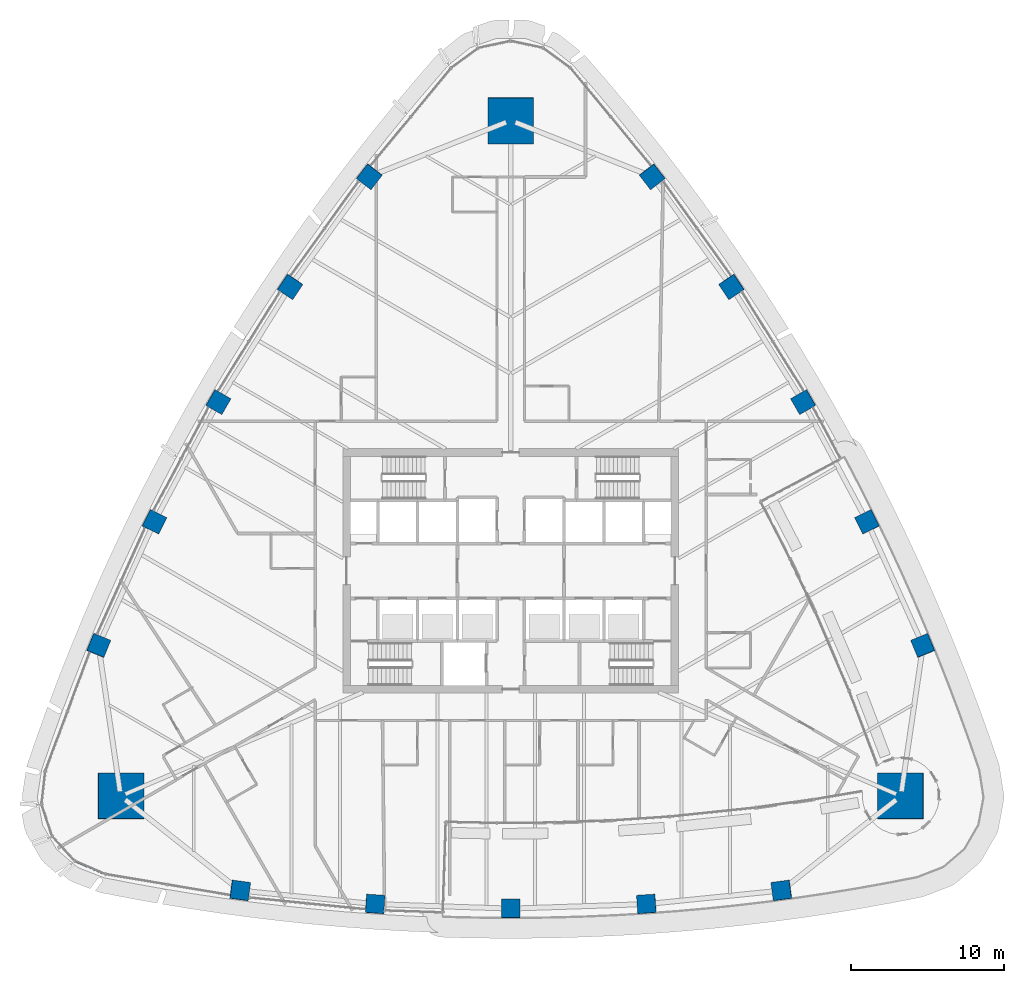
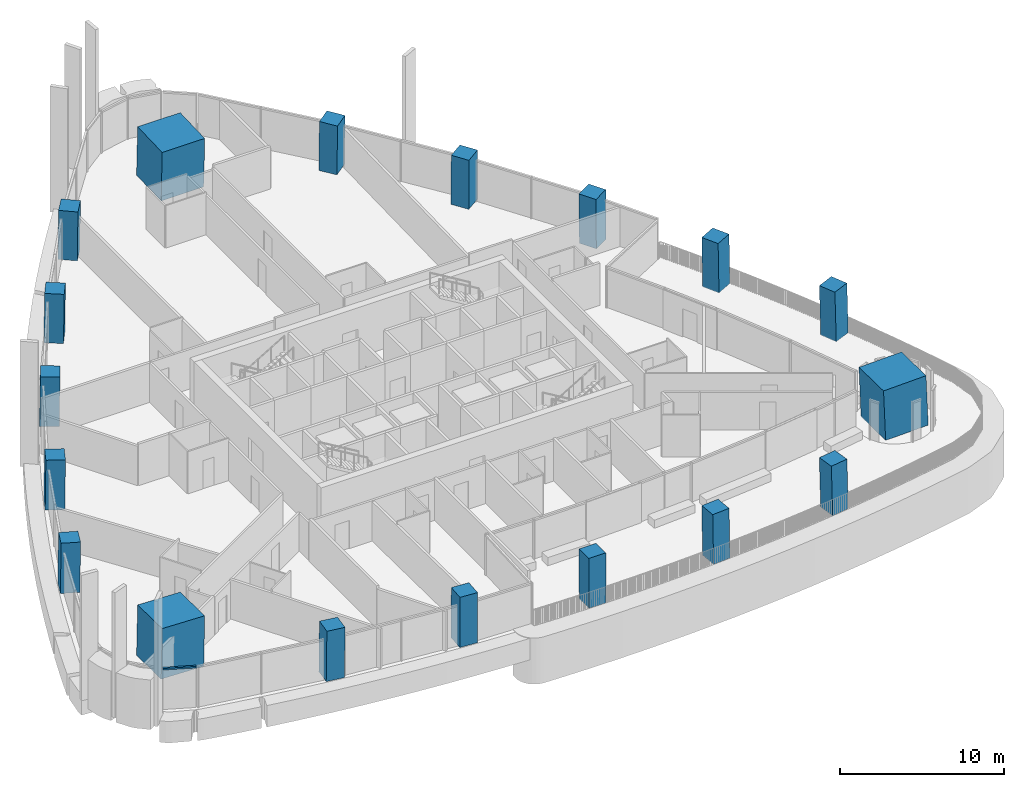
# One storey, part 1 of 22: 18 columns, 1 member, 1 element without a shape of its own.
"""IFC4 building model written with IfcOpenShell, lengths in metres."""

import ifcopenshell
import ifcopenshell.guid

model = None  # the IFC model being written
_history = None  # IfcOwnerHistory: only IFC2X3 demands one
_inside = {}  # id of a spatial element -> (the spatial element, [elements in it])
_under = {}  # id of a project, library or spatial element -> (it, [spatial elements below it])
_declared = {}  # id of a project -> (the project, [libraries it declares])
_typed = {}  # id of a type object -> (the type object, [elements of that type])
_made_of = {}  # id of a material, layer set ... -> (it, [elements and type objects made of it])


def new_model(schema):
    """Start an empty IFC model of exactly this schema.

    Asked for "IFC4X3", IfcOpenShell would pick the latest addendum, in which some entities
    have other attributes; the version numbers below select the first issue.
    IFC2X3 requires an IfcOwnerHistory on every rooted entity: one is made here for all.
    """
    global model, _history
    if schema == "IFC4X3":
        model = ifcopenshell.file(schema_version=(4, 3, 0, 0))
    else:
        model = ifcopenshell.file(schema=schema)
    _inside.clear()
    _under.clear()
    _declared.clear()
    _typed.clear()
    _made_of.clear()
    _history = None
    if model.schema == "IFC2X3":
        org = make("IfcOrganization", Name="unknown")
        user = make(
            "IfcPersonAndOrganization",
            ThePerson=make("IfcPerson", FamilyName="unknown"),
            TheOrganization=org,
        )
        app = make(
            "IfcApplication",
            ApplicationDeveloper=org,
            Version="unknown",
            ApplicationFullName="unknown",
            ApplicationIdentifier="unknown",
        )
        _history = make(
            "IfcOwnerHistory",
            OwningUser=user,
            OwningApplication=app,
            ChangeAction="ADDED",
            CreationDate=0,
        )
    return model


def make(cls, **values):
    """One entity of the class cls with the attributes given. An attribute that is None is left unset."""
    return model.create_entity(
        cls, **{name: value for name, value in values.items() if value is not None}
    )


def rooted(cls, **values):
    """An entity with a GlobalId (a new one), such as an element, a storey or a relation."""
    return make(cls, GlobalId=ifcopenshell.guid.new(), OwnerHistory=_history, **values)


def si_unit(unit_type, name, prefix=None):
    """IfcSIUnit, for example si_unit("LENGTHUNIT", "METRE", prefix="MILLI")."""
    return make("IfcSIUnit", UnitType=unit_type, Prefix=prefix, Name=name)


def assignment(units):
    """IfcUnitAssignment: the units of a project."""
    return None if units is None else make("IfcUnitAssignment", Units=units)


def point(xyz):
    """IfcCartesianPoint."""
    return None if xyz is None else make("IfcCartesianPoint", Coordinates=xyz)


def direction(xyz):
    """IfcDirection."""
    return None if xyz is None else make("IfcDirection", DirectionRatios=xyz)


def frame(location, z_axis=None, x_axis=None):
    """IfcAxis2Placement3D, a coordinate frame: its origin and axes. An axis left out is left unset."""
    return make(
        "IfcAxis2Placement3D",
        Location=point(location),
        Axis=direction(z_axis),
        RefDirection=direction(x_axis),
    )


def frame_2d(location, x_axis=None):
    """IfcAxis2Placement2D, a coordinate frame in the plane: its origin and x axis."""
    return make(
        "IfcAxis2Placement2D", Location=point(location), RefDirection=direction(x_axis)
    )


def origin():
    """The frame at (0, 0, 0) with its axes left unset."""
    return frame((0.0, 0.0, 0.0))


def origin_2d():
    """The frame at (0, 0) in the plane with its x axis left unset."""
    return frame_2d((0.0, 0.0))


def place(relative_to, where):
    """IfcLocalPlacement: puts the frame where relative to a parent placement (None: the world)."""
    return make(
        "IfcLocalPlacement", PlacementRelTo=relative_to, RelativePlacement=where
    )


def context(
    kind, dimensions, precision=None, world=None, true_north=None, identifier=None
):
    """IfcGeometricRepresentationContext, for example the 3D "Model" context."""
    return make(
        "IfcGeometricRepresentationContext",
        ContextIdentifier=identifier,
        ContextType=kind,
        CoordinateSpaceDimension=dimensions,
        Precision=precision,
        WorldCoordinateSystem=world,
        TrueNorth=true_north,
    )


def subcontext(parent, identifier, kind, view, scale=None):
    """IfcGeometricRepresentationSubContext, for example "Body" below "Model"."""
    return make(
        "IfcGeometricRepresentationSubContext",
        ContextIdentifier=identifier,
        ContextType=kind,
        ParentContext=parent,
        TargetScale=scale,
        TargetView=view,
    )


def project(units=None, contexts=None):
    """IfcProject with its units and contexts."""
    return rooted(
        "IfcProject",
        Name="project",
        RepresentationContexts=contexts,
        UnitsInContext=assignment(units),
    )


def spatial(cls, under=None, at=None, **own):
    """A site, building, storey or space (cls), placed at a placement, below another one or the project."""
    s = rooted(cls, ObjectPlacement=at, **own)
    if under is not None:
        _under.setdefault(under.id(), (under, []))[1].append(s)
    return s


def profile(cls, at=None, kind="AREA", **sizes):
    """A parametric profile (cls). Its sizes go by their IFC names, for example OverallWidth=200.0."""
    return make(cls, ProfileType=kind, Position=at, **sizes)


def rectangle(**sizes):
    """IfcRectangleProfileDef."""
    return profile("IfcRectangleProfileDef", **sizes)


def extrude(swept, where, along, depth):
    """IfcExtrudedAreaSolid: the profile swept, set in the frame where, extruded along a direction by depth."""
    return make(
        "IfcExtrudedAreaSolid",
        SweptArea=swept,
        Position=where,
        ExtrudedDirection=direction(along),
        Depth=depth,
    )


def clip(a, b, op="DIFFERENCE"):
    """IfcBooleanClippingResult: the solid a cut by the half space b."""
    return make(
        "IfcBooleanClippingResult", Operator=op, FirstOperand=a, SecondOperand=b
    )


def halfspace(plane, agree):
    """IfcHalfSpaceSolid: all space on one side of the plane z = 0 of the frame plane."""
    return make(
        "IfcHalfSpaceSolid",
        BaseSurface=make("IfcPlane", Position=plane),
        AgreementFlag=agree,
    )


def shape(context_of_items, identifier, shape_type, items):
    """IfcShapeRepresentation: the items that make up one representation, for example the "Body"."""
    return make(
        "IfcShapeRepresentation",
        ContextOfItems=context_of_items,
        RepresentationIdentifier=identifier,
        RepresentationType=shape_type,
        Items=items,
    )


def material(Name=None, Category=None):
    """IfcMaterial."""
    return make("IfcMaterial", Name=Name, Category=Category)


def layer(
    of_material, thickness, ventilated=None, Name=None, Category=None, Priority=None
):
    """IfcMaterialLayer: one layer of a wall or slab, of a material (None: an air gap)."""
    return make(
        "IfcMaterialLayer",
        Material=of_material,
        LayerThickness=thickness,
        IsVentilated=ventilated,
        Name=Name,
        Category=Category,
        Priority=Priority,
    )


def layer_set(layers, Name=None):
    """IfcMaterialLayerSet."""
    return make("IfcMaterialLayerSet", MaterialLayers=layers, LayerSetName=Name)


def material_profile(
    of_material, cross_section, Name=None, Category=None, Priority=None
):
    """IfcMaterialProfile: a cross section and its material."""
    return make(
        "IfcMaterialProfile",
        Name=Name,
        Material=of_material,
        Profile=cross_section,
        Priority=Priority,
        Category=Category,
    )


def profile_set(profiles, Name=None, composite=None):
    """IfcMaterialProfileSet."""
    return make(
        "IfcMaterialProfileSet",
        Name=Name,
        MaterialProfiles=profiles,
        CompositeProfile=composite,
    )


def made_of(thing, what):
    """Note that an element or type object is made of a material, layer set ...; save() writes the relation."""
    if what is not None:
        _made_of.setdefault(what.id(), (what, []))[1].append(thing)
    return thing


def type_object(cls, material=None, **own):
    """A type object (cls), such as IfcWallType, which elements share."""
    return made_of(rooted(cls, **own), material)


def element(
    cls,
    number,
    at=None,
    inside=None,
    cuts=None,
    type_object=None,
    material=None,
    context=None,
    identifier="Body",
    shape_type=None,
    held_by="IfcProductDefinitionShape",
    body=None,
    shapes=None,
    **own,
):
    """One element of the class cls, such as IfcWall. Its Tag is "e" and its number.

    at: its placement. inside: the storey or other place that contains it. cuts: it is an
    opening in that element (IfcRelVoidsElement). A single representation is given by context,
    identifier, shape_type and body (its items); several are given by shapes. held_by: the class
    of the entity that holds the representations. save() writes the other relations.
    """
    e = rooted(cls, Tag="e%d" % number, ObjectPlacement=at, **own)
    if body is not None:
        shapes = [shape(context, identifier, shape_type, body)]
    if shapes is not None:
        e.Representation = make(held_by, Representations=shapes)
    if inside is not None:
        _inside.setdefault(inside.id(), (inside, []))[1].append(e)
    if cuts is not None:
        rooted(
            "IfcRelVoidsElement", RelatingBuildingElement=cuts, RelatedOpeningElement=e
        )
    if type_object is not None:
        _typed.setdefault(type_object.id(), (type_object, []))[1].append(e)
    return made_of(e, material)


def aggregate(whole, parts):
    """IfcRelAggregates: a whole, such as a stair, and the parts it consists of."""
    return rooted("IfcRelAggregates", RelatingObject=whole, RelatedObjects=parts)


def save(model, path):
    """Write the relations noted so far, then the file.

    IfcRelAggregates (storeys below a building ...), IfcRelContainedInSpatialStructure (elements
    in a storey), IfcRelDefinesByType, IfcRelAssociatesMaterial and IfcRelDeclares: one each for
    every whole, place, type object, material and project.
    """
    for whole, parts in _under.values():
        aggregate(whole, parts)
    for where, things in _inside.values():
        rooted(
            "IfcRelContainedInSpatialStructure",
            RelatedElements=things,
            RelatingStructure=where,
        )
    for kind, things in _typed.values():
        rooted("IfcRelDefinesByType", RelatedObjects=things, RelatingType=kind)
    for what, things in _made_of.values():
        rooted("IfcRelAssociatesMaterial", RelatedObjects=things, RelatingMaterial=what)
    for by, libraries in _declared.values():
        rooted("IfcRelDeclares", RelatingContext=by, RelatedDefinitions=libraries)
    model.write(path)


model = new_model("IFC4")

# Units and contexts
model_context = context("Model", 3, precision=1e-05, world=origin(), true_north=direction((0.0, 1.0)))
body_context = subcontext(model_context, "Body", "Model", "MODEL_VIEW")
ifc_project = project(units=[si_unit("LENGTHUNIT", "METRE"), si_unit("AREAUNIT", "SQUARE_METRE"), si_unit("VOLUMEUNIT", "CUBIC_METRE"), si_unit("PLANEANGLEUNIT", "RADIAN"), si_unit("MASSUNIT", "GRAM", prefix="KILO")], contexts=[model_context])

# Site, building, storey
site_placement = place(None, origin())
site = spatial("IfcSite", under=ifc_project, at=site_placement, CompositionType="ELEMENT")
building_placement = place(site_placement, origin())
building = spatial("IfcBuilding", under=site, at=building_placement, Name="Sierra Prisma Convention Tower", CompositionType="ELEMENT")
storey_placement = place(building_placement, frame((0.0, 0.0, 103.5)))
storey = spatial("IfcBuildingStorey", under=building, at=storey_placement, Name="L22", CompositionType="ELEMENT", Elevation=103.5)

# Columns
ifc_material_1 = material(Name="Concrete C60/75", Category="concrete")
ifc_material_profile_1 = material_profile(ifc_material_1, rectangle(XDim=3.0, YDim=3.0, at=origin_2d()), Name="Mega column RC 3000 C60/75")
ifc_profile_set_1 = profile_set([ifc_material_profile_1], Name="Concrete C60/75")
column_type_1 = type_object("IfcColumnType", Name="Mega column RC 3000 C60/75", PredefinedType="COLUMN", material=ifc_profile_set_1)
column_1_placement = place(storey_placement, frame((25.54638671875, -14.749267578125, 0.0), z_axis=(-0.030400226529, 0.017607072632, 0.999382718092), x_axis=(0.999537806302, 0.000535506504, 0.030395509632)))
element("IfcColumn", 1, at=column_1_placement, inside=storey, type_object=column_type_1, Name="Mega column SE L22", PredefinedType="COLUMN", context=body_context, shape_type="SweptSolid", body=[
    clip(extrude(rectangle(XDim=3.0, YDim=3.0, at=origin_2d()), origin(), (0.0, 0.0, 1.0), 3.7021484375), halfspace(frame((0.0, 0.0, 3.690673828125)), False)),
])
column_2_placement = place(storey_placement, frame((0.0, 29.49853515625, 0.0), z_axis=(0.0, -0.035148179849, 0.999382111834), x_axis=(1.0, 0.0, 0.0)))
element("IfcColumn", 2, at=column_2_placement, inside=storey, type_object=column_type_1, Name="Mega column N L22", PredefinedType="COLUMN", context=body_context, shape_type="SweptSolid", body=[
    clip(extrude(rectangle(XDim=3.0, YDim=3.0, at=origin_2d()), origin(), (0.0, 0.0, 1.0), 3.7021484375), halfspace(frame((0.0, 0.0, 3.693603515625)), False)),
])
column_3_placement = place(storey_placement, frame((-25.54638671875, -14.749267578125, 0.0), z_axis=(0.030400226529, 0.017607072632, 0.999382718092), x_axis=(0.999537806302, -0.000535506504, -0.030395509632)))
element("IfcColumn", 3, at=column_3_placement, inside=storey, type_object=column_type_1, Name="Mega column SW L22", PredefinedType="COLUMN", context=body_context, shape_type="SweptSolid", body=[
    clip(extrude(rectangle(XDim=3.0, YDim=3.0, at=origin_2d()), origin(), (0.0, 0.0, 1.0), 3.7021484375), halfspace(frame((0.0, 0.0, 3.690673828125)), False)),
])
ifc_material_2 = material(Name="Concrete C60/75", Category="concrete")
ifc_material_profile_2 = material_profile(ifc_material_2, rectangle(XDim=1.199951171875, YDim=1.199951171875, at=origin_2d()), Name="Perimeter column RC 1200 C60/75")
ifc_profile_set_2 = profile_set([ifc_material_profile_2], Name="Concrete C60/75")
column_type_2 = type_object("IfcColumnType", Name="Perimeter column RC 1200 C60/75", PredefinedType="COLUMN", material=ifc_profile_set_2)
column_4_placement = place(storey_placement, frame((-17.733154296875, -20.93505859375, 0.0), z_axis=(0.01919682326, 0.011280607483, 0.999752084205), x_axis=(-0.990948907943, 0.133090565371, 0.017526073608)))
element("IfcColumn", 4, at=column_4_placement, inside=storey, type_object=column_type_2, Name="Perimeter column S-1 L22", PredefinedType="COLUMN", context=body_context, shape_type="SweptSolid", body=[
    clip(extrude(rectangle(XDim=1.199951171875, YDim=1.199951171875, at=origin_2d()), origin(), (0.0, 0.0, 1.0), 3.700927734375), halfspace(frame((0.0, 0.0, 3.69775390625)), False)),
])
column_5_placement = place(storey_placement, frame((-8.88623046875, -21.822509765625, 0.0), z_axis=(0.00963262733, 0.012139749512, 0.999879912276), x_axis=(-0.997734074202, 0.066702624649, 0.008802104381)))
element("IfcColumn", 5, at=column_5_placement, inside=storey, type_object=column_type_2, Name="Perimeter column S-2 L22", PredefinedType="COLUMN", context=body_context, shape_type="SweptSolid", body=[
    clip(extrude(rectangle(XDim=1.199951171875, YDim=1.199951171875, at=origin_2d()), origin(), (0.0, 0.0, 1.0), 3.700439453125), halfspace(frame((0.0, 0.0, 3.697998046875)), False)),
])
column_6_placement = place(storey_placement, frame((0.0, -22.11865234375, 0.0), z_axis=(0.0, 0.012338222751, 0.999923881233), x_axis=(1.0, 0.0, 0.0)))
element("IfcColumn", 6, at=column_6_placement, inside=storey, type_object=column_type_2, Name="Perimeter column S-3 L22", PredefinedType="COLUMN", context=body_context, shape_type="SweptSolid", body=[
    clip(extrude(rectangle(XDim=1.199951171875, YDim=1.199951171875, at=origin_2d()), origin(), (0.0, 0.0, 1.0), 3.7001953125), halfspace(frame((0.0, 0.0, 3.69873046875)), False)),
])
column_7_placement = place(storey_placement, frame((8.88623046875, -21.822509765625, 0.0), z_axis=(-0.00963262733, 0.012139749512, 0.999879912276), x_axis=(0.997734074202, 0.066702624649, 0.008802104381)))
element("IfcColumn", 7, at=column_7_placement, inside=storey, type_object=column_type_2, Name="Perimeter column S-4 L22", PredefinedType="COLUMN", context=body_context, shape_type="SweptSolid", body=[
    clip(extrude(rectangle(XDim=1.199951171875, YDim=1.199951171875, at=origin_2d()), origin(), (0.0, 0.0, 1.0), 3.700439453125), halfspace(frame((0.0, 0.0, 3.697998046875)), False)),
])
column_8_placement = place(storey_placement, frame((17.733154296875, -20.93505859375, 0.0), z_axis=(-0.01919682326, 0.011280607483, 0.999752084205), x_axis=(0.990948907943, 0.133090565371, 0.017526073608)))
element("IfcColumn", 8, at=column_8_placement, inside=storey, type_object=column_type_2, Name="Perimeter column S-5 L22", PredefinedType="COLUMN", context=body_context, shape_type="SweptSolid", body=[
    clip(extrude(rectangle(XDim=1.199951171875, YDim=1.199951171875, at=origin_2d()), origin(), (0.0, 0.0, 1.0), 3.700927734375), halfspace(frame((0.0, 0.0, 3.69775390625)), False)),
])
column_9_placement = place(storey_placement, frame((26.996826171875, -4.8896484375, 0.0), z_axis=(-0.0193947257, 0.010950763491, 0.999751931928), x_axis=(-0.380412982206, 0.924650979293, -0.0175079828)))
element("IfcColumn", 9, at=column_9_placement, inside=storey, type_object=column_type_2, Name="Perimeter column NE-1 L22", PredefinedType="COLUMN", context=body_context, shape_type="SweptSolid", body=[
    clip(extrude(rectangle(XDim=1.199951171875, YDim=1.199951171875, at=origin_2d()), origin(), (0.0, 0.0, 1.0), 3.700927734375), halfspace(frame((0.0, 0.0, 3.697509765625)), False)),
])
column_10_placement = place(storey_placement, frame((23.341796875, 3.215576171875, 0.0), z_axis=(-0.015240685517, 0.002243217782, 0.999881337699), x_axis=(-0.44116957044, 0.897381224024, -0.008737785047)))
element("IfcColumn", 10, at=column_10_placement, inside=storey, type_object=column_type_2, Name="Perimeter column NE-2 L22", PredefinedType="COLUMN", context=body_context, shape_type="SweptSolid", body=[
    clip(extrude(rectangle(XDim=1.199951171875, YDim=1.199951171875, at=origin_2d()), origin(), (0.0, 0.0, 1.0), 3.700439453125), halfspace(frame((0.0, 0.0, 3.697998046875)), False)),
])
column_11_placement = place(storey_placement, frame((19.1552734375, 11.059326171875, 0.0), z_axis=(-0.010688725148, -0.006202099777, 0.999923639641), x_axis=(-0.499971436973, 0.8660418936, 2.7223042e-05)))
element("IfcColumn", 11, at=column_11_placement, inside=storey, type_object=column_type_2, Name="Perimeter column NE-3 L22", PredefinedType="COLUMN", context=body_context, shape_type="SweptSolid", body=[
    clip(extrude(rectangle(XDim=1.199951171875, YDim=1.199951171875, at=origin_2d()), origin(), (0.0, 0.0, 1.0), 3.7001953125), halfspace(frame((0.0, 0.0, 3.69873046875)), False)),
])
column_12_placement = place(storey_placement, frame((14.45556640625, 18.60693359375, 0.0), z_axis=(-0.005674016471, -0.014382971985, 0.999880460682), x_axis=(-0.556550590444, 0.830767199456, 0.008792075137)))
element("IfcColumn", 12, at=column_12_placement, inside=storey, type_object=column_type_2, Name="Perimeter column NE-4 L22", PredefinedType="COLUMN", context=body_context, shape_type="SweptSolid", body=[
    clip(extrude(rectangle(XDim=1.199951171875, YDim=1.199951171875, at=origin_2d()), origin(), (0.0, 0.0, 1.0), 3.700439453125), halfspace(frame((0.0, 0.0, 3.697998046875)), False)),
])
for number, where, z_axis, x_axis, name in (
    (13, (9.263916015625, 25.82470703125, 0.0), (-0.000263874053, -0.022231388943, 0.999752817308), (-0.610646978838, 0.791710789244, 0.01744400845), "Perimeter column NE-5 L22"),
    (14, (-9.263916015625, 25.82470703125, 0.0), (0.000263874053, -0.022231388943, 0.999752817308), (0.610646978838, 0.791710789244, 0.01744400845), "Perimeter column NW-1 L22"),
):
    element("IfcColumn", number, at=place(storey_placement, frame(where, z_axis=z_axis, x_axis=x_axis)), inside=storey, type_object=column_type_2, Name=name, PredefinedType="COLUMN", context=body_context, shape_type="SweptSolid", body=[
        clip(extrude(rectangle(XDim=1.199951171875, YDim=1.199951171875, at=origin_2d()), origin(), (0.0, 0.0, 1.0), 3.700927734375), halfspace(frame((0.0, 0.0, 3.69775390625)), False)),
    ])
column_13_placement = place(storey_placement, frame((-14.45556640625, 18.60693359375, 0.0), z_axis=(0.005674016471, -0.014382971985, 0.999880460682), x_axis=(0.556550590444, 0.830767199456, 0.008792075137)))
element("IfcColumn", 15, at=column_13_placement, inside=storey, type_object=column_type_2, Name="Perimeter column NW-2 L22", PredefinedType="COLUMN", context=body_context, shape_type="SweptSolid", body=[
    clip(extrude(rectangle(XDim=1.199951171875, YDim=1.199951171875, at=origin_2d()), origin(), (0.0, 0.0, 1.0), 3.700439453125), halfspace(frame((0.0, 0.0, 3.697998046875)), False)),
])
column_14_placement = place(storey_placement, frame((-19.1552734375, 11.059326171875, 0.0), z_axis=(0.010688725148, -0.006202099777, 0.999923639641), x_axis=(0.499971436973, 0.8660418936, 2.7223042e-05)))
element("IfcColumn", 16, at=column_14_placement, inside=storey, type_object=column_type_2, Name="Perimeter column NW-3 L22", PredefinedType="COLUMN", context=body_context, shape_type="SweptSolid", body=[
    clip(extrude(rectangle(XDim=1.199951171875, YDim=1.199951171875, at=origin_2d()), origin(), (0.0, 0.0, 1.0), 3.7001953125), halfspace(frame((0.0, 0.0, 3.69873046875)), False)),
])
column_15_placement = place(storey_placement, frame((-23.341796875, 3.215576171875, 0.0), z_axis=(0.015240685517, 0.002243217782, 0.999881337699), x_axis=(0.44116957044, 0.897381224024, -0.008737785047)))
element("IfcColumn", 17, at=column_15_placement, inside=storey, type_object=column_type_2, Name="Perimeter column NW-4 L22", PredefinedType="COLUMN", context=body_context, shape_type="SweptSolid", body=[
    clip(extrude(rectangle(XDim=1.199951171875, YDim=1.199951171875, at=origin_2d()), origin(), (0.0, 0.0, 1.0), 3.700439453125), halfspace(frame((0.0, 0.0, 3.697998046875)), False)),
])
column_16_placement = place(storey_placement, frame((-26.996826171875, -4.8896484375, 0.0), z_axis=(0.0193947257, 0.010950763491, 0.999751931928), x_axis=(0.380412982206, 0.924650979293, -0.0175079828)))
element("IfcColumn", 18, at=column_16_placement, inside=storey, type_object=column_type_2, Name="Perimeter column NW-5 L22", PredefinedType="COLUMN", context=body_context, shape_type="SweptSolid", body=[
    clip(extrude(rectangle(XDim=1.199951171875, YDim=1.199951171875, at=origin_2d()), origin(), (0.0, 0.0, 1.0), 3.700927734375), halfspace(frame((0.0, 0.0, 3.697509765625)), False)),
])

# Curtain wall, member
ifc_material_3 = material(Name="Aluminium and glass curtain wall", Category="aluminium")
ifc_layer = layer(ifc_material_3, 0.179931640625)
ifc_layer_set = layer_set([ifc_layer], Name="CW-1 Plain shaft curtain wall")
curtain_wall_type = type_object("IfcCurtainWallType", Name="CW-1 Plain shaft curtain wall", PredefinedType="NOTDEFINED", material=ifc_layer_set)
curtain_wall_placement = place(storey_placement, origin())
curtain_wall = element("IfcCurtainWall", 19, at=curtain_wall_placement, inside=storey, type_object=curtain_wall_type, Name="CW-1 SW4 L22", PredefinedType="NOTDEFINED")
ifc_material_4 = material(Name="Aluminium 6063-T6 bronze anodised", Category="aluminium")
ifc_material_profile_3 = material_profile(ifc_material_4, rectangle(XDim=0.139892578125, YDim=0.1201171875, at=origin_2d()), Name="ALU TRANSOM 120x140")
ifc_profile_set_3 = profile_set([ifc_material_profile_3], Name="Aluminium 6063-T6 bronze anodised")
member_type = type_object("IfcMemberType", Name="CW transom bronze", PredefinedType="USERDEFINED", material=ifc_profile_set_3)
member_placement = place(storey_placement, frame((-28.52294921875, -19.00439453125, 3.0400390625), z_axis=(0.916405947753, -0.40025009547, 0.0), x_axis=(0.40025009547, 0.916405947753, 0.0)))
member = element("IfcMember", 20, at=member_placement, type_object=member_type, Name="CW-1 transom SW4.1", ObjectType="TRANSOM", PredefinedType="USERDEFINED", context=body_context, shape_type="SweptSolid", body=[
    extrude(rectangle(XDim=0.139892578125, YDim=0.1201171875, at=origin_2d()), origin(), (0.0, 0.0, 1.0), 2.049560546875),
])
aggregate(curtain_wall, [member])

save(model, "model.ifc")
